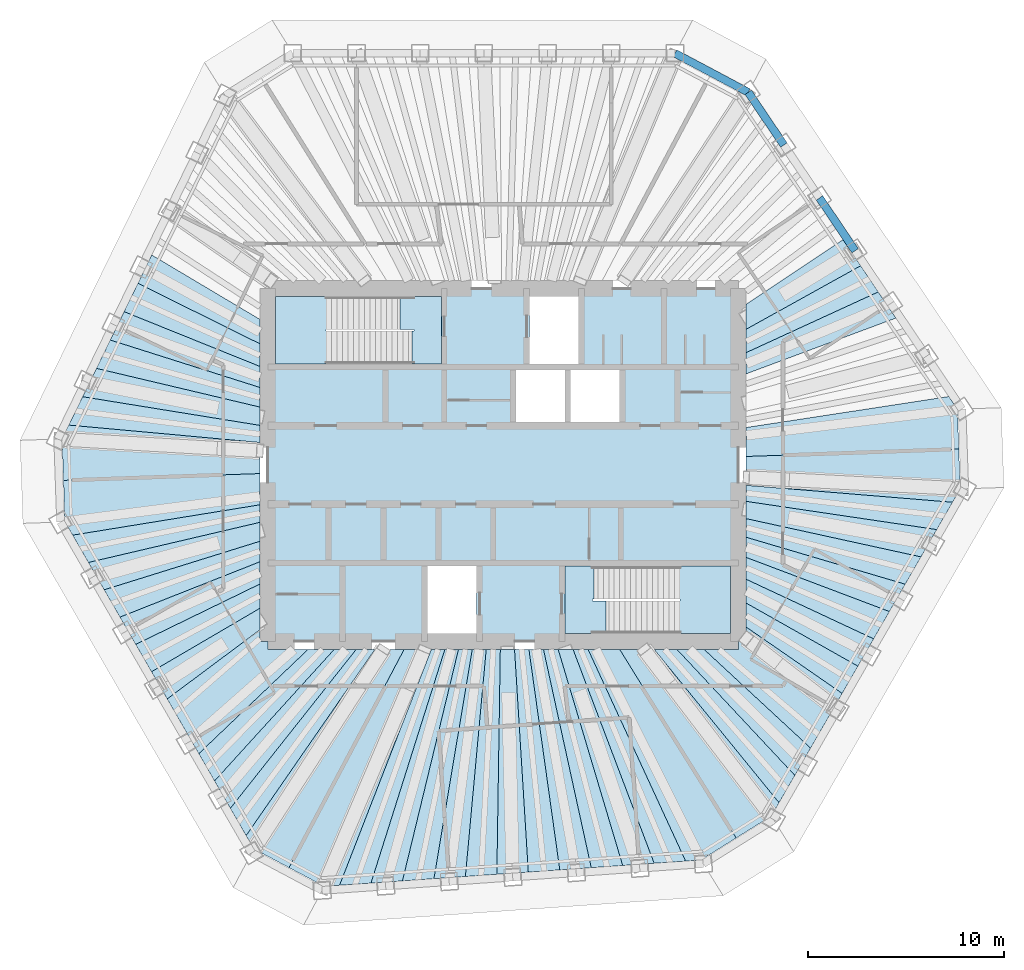
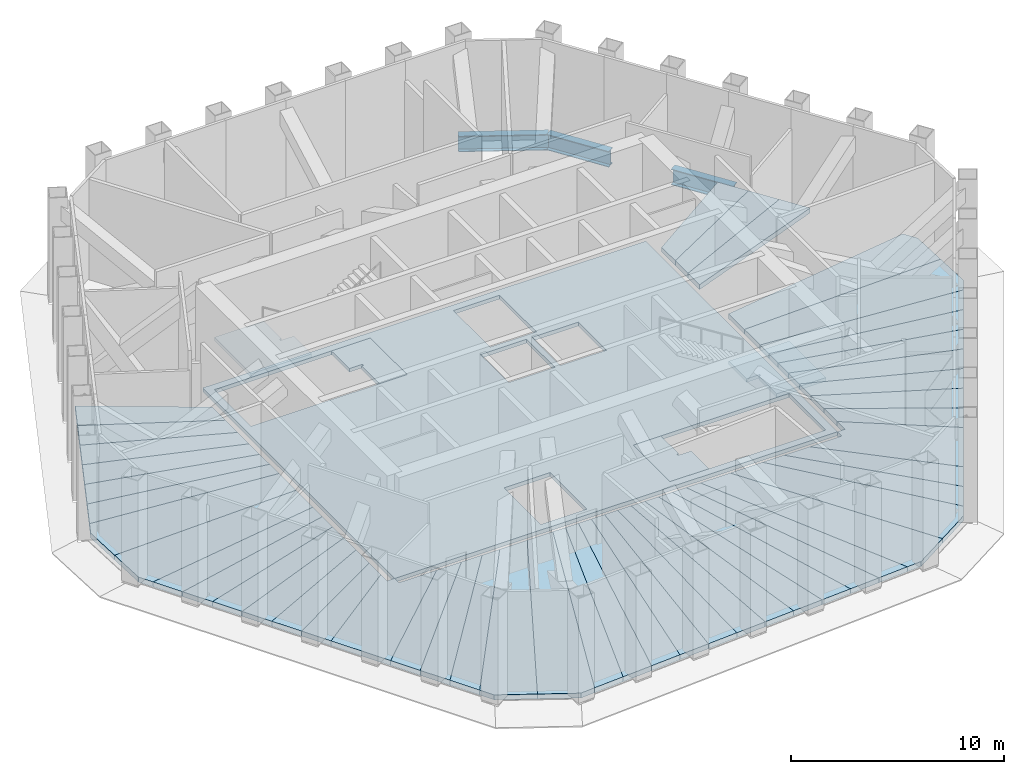
# One storey, part 4 of 10: 53 slabs, 3 beams, 2 elements without a shape of their own.
"""IFC4 building model written with IfcOpenShell, lengths in metres."""

from ifc_helpers import new_model, si_unit, direction, frame, origin, origin_2d, place, context, subcontext, project, spatial, polyline, i_section, outline, extrude, material, layer, layer_set, material_profile, profile_set, type_object, element, aggregate, save


model = new_model("IFC4")

# Units and contexts
model_context = context("Model", 3, precision=1e-05, world=origin(), true_north=direction((0.0, 1.0)))
body_context = subcontext(model_context, "Body", "Model", "MODEL_VIEW")
ifc_project = project(units=[si_unit("LENGTHUNIT", "METRE"), si_unit("AREAUNIT", "SQUARE_METRE"), si_unit("VOLUMEUNIT", "CUBIC_METRE"), si_unit("PLANEANGLEUNIT", "RADIAN"), si_unit("MASSUNIT", "GRAM", prefix="KILO")], contexts=[model_context])

# Site, building, storey
site_placement = place(None, origin())
site = spatial("IfcSite", under=ifc_project, at=site_placement, CompositionType="ELEMENT")
building_placement = place(site_placement, origin())
building = spatial("IfcBuilding", under=site, at=building_placement, Name="Qingtian Harvest Tower", CompositionType="ELEMENT")
storey_placement = place(building_placement, frame((0.0, 0.0, 337.60009765625)))
storey = spatial("IfcBuildingStorey", under=building, at=storey_placement, Name="L75", CompositionType="ELEMENT", Elevation=337.60009765625)

# Beams
ifc_material_1 = material(Name="Steel SN490B", Category="steel")
ifc_material_profile = material_profile(ifc_material_1, i_section(OverallWidth=0.39990234375, OverallDepth=0.89990234375, WebThickness=0.01904296875, FlangeThickness=0.035888671875, at=origin_2d()), Name="H900x400x19x36")
ifc_profile_set = profile_set([ifc_material_profile], Name="Steel SN490B")
beam_type = type_object("IfcBeamType", Name="Spandrel beam SB4 H900x400x19x36", PredefinedType="SPANDREL", material=ifc_profile_set)
beam_placement = place(storey_placement, frame((8.765869140625, 21.0, -0.4501953125), z_axis=(0.882948599748, -0.469469669099, 0.0), x_axis=(0.469469669099, 0.882948599748, 0.0)))
element("IfcBeam", 1, at=beam_placement, inside=storey, type_object=beam_type, Name="Spandrel SB4 NC", PredefinedType="SPANDREL", context=body_context, shape_type="SweptSolid", body=[
    extrude(i_section(OverallWidth=0.39990234375, OverallDepth=0.89990234375, WebThickness=0.01904296875, FlangeThickness=0.035888671875, at=origin_2d()), origin(), (0.0, 0.0, 1.0), 4.23828125),
])
for number, where, z_axis, x_axis, name in (
    (2, (12.508056640625, 19.01025390625, -0.4501953125), (0.559184924833, -0.829042954158, 0.0), (0.829042954158, 0.559184924833, 0.0), "Spandrel SB4 NE0"),
    (3, (16.140625, 13.624755859375, -0.4501953125), (0.559184924833, -0.829042954158, 0.0), (0.829042954158, 0.559184924833, 0.0), "Spandrel SB4 NE2"),
):
    element("IfcBeam", number, at=place(storey_placement, frame(where, z_axis=z_axis, x_axis=x_axis)), inside=storey, type_object=beam_type, Name=name, PredefinedType="SPANDREL", context=body_context, shape_type="SweptSolid", body=[
        extrude(i_section(OverallWidth=0.39990234375, OverallDepth=0.89990234375, WebThickness=0.01904296875, FlangeThickness=0.035888671875, at=origin_2d()), origin(), (0.0, 0.0, 1.0), 3.247802734375),
    ])

# Slabs
ifc_material_2 = material(Name="Concrete fc' 35 MPa", Category="concrete")
ifc_layer_1 = layer(ifc_material_2, 0.280029296875)
ifc_layer_set_1 = layer_set([ifc_layer_1], Name="Composite floor slab FS28 280")
slab_type_1 = type_object("IfcSlabType", Name="Composite floor slab FS28 280", PredefinedType="FLOOR", material=ifc_layer_set_1)
slab_1_placement = place(storey_placement, frame((0.0, 0.0, -0.280029296875)))
element("IfcSlab", 4, at=slab_1_placement, inside=storey, type_object=slab_type_1, Name="Floor slab L75 panel D01", PredefinedType="FLOOR", context=body_context, shape_type="SweptSolid", body=[
    extrude(outline(polyline([(-22.422607421875, -0.783203125), (-12.39990234375, -0.436767578125), (-12.39990234375, -2.028564453125), (-21.95751953125, -3.578369140625), (-22.348876953125, -2.90087890625), (-22.422607421875, -0.783203125)])), origin(), (0.0, 0.0, 1.0), 0.280029296875),
])
slab_2_placement = place(storey_placement, frame((0.0, 0.0, -0.280029296875)))
element("IfcSlab", 5, at=slab_2_placement, inside=storey, type_object=slab_type_1, Name="Floor slab L75 panel D02", PredefinedType="FLOOR", context=body_context, shape_type="SweptSolid", body=[
    extrude(outline(polyline([(-12.39990234375, -2.923095703125), (-21.153076171875, -4.9716796875), (-21.95751953125, -3.578369140625), (-12.39990234375, -2.028564453125), (-12.39990234375, -2.923095703125)])), origin(), (0.0, 0.0, 1.0), 0.280029296875),
])
slab_3_placement = place(storey_placement, frame((0.0, 0.0, -0.280029296875)))
element("IfcSlab", 6, at=slab_3_placement, inside=storey, type_object=slab_type_1, Name="Floor slab L75 panel D03", PredefinedType="FLOOR", context=body_context, shape_type="SweptSolid", body=[
    extrude(outline(polyline([(-12.39990234375, -3.888427734375), (-20.3486328125, -6.365234375), (-21.153076171875, -4.9716796875), (-12.39990234375, -2.923095703125), (-12.39990234375, -3.888427734375)])), origin(), (0.0, 0.0, 1.0), 0.280029296875),
])
slab_4_placement = place(storey_placement, frame((0.0, 0.0, -0.280029296875)))
element("IfcSlab", 7, at=slab_4_placement, inside=storey, type_object=slab_type_1, Name="Floor slab L75 panel D04", PredefinedType="FLOOR", context=body_context, shape_type="SweptSolid", body=[
    extrude(outline(polyline([(-12.39990234375, -4.93359375), (-19.544189453125, -7.758544921875), (-20.3486328125, -6.365234375), (-12.39990234375, -3.888427734375), (-12.39990234375, -4.93359375)])), origin(), (0.0, 0.0, 1.0), 0.280029296875),
])
slab_5_placement = place(storey_placement, frame((0.0, 0.0, -0.280029296875)))
element("IfcSlab", 8, at=slab_5_placement, inside=storey, type_object=slab_type_1, Name="Floor slab L75 panel D05", PredefinedType="FLOOR", context=body_context, shape_type="SweptSolid", body=[
    extrude(outline(polyline([(-12.39990234375, -6.068359375), (-18.73974609375, -9.15185546875), (-19.544189453125, -7.758544921875), (-12.39990234375, -4.93359375), (-12.39990234375, -6.068359375)])), origin(), (0.0, 0.0, 1.0), 0.280029296875),
])
slab_6_placement = place(storey_placement, frame((0.0, 0.0, -0.280029296875)))
element("IfcSlab", 9, at=slab_6_placement, inside=storey, type_object=slab_type_1, Name="Floor slab L75 panel D06", PredefinedType="FLOOR", context=body_context, shape_type="SweptSolid", body=[
    extrude(outline(polyline([(-12.39990234375, -7.304931640625), (-17.93505859375, -10.54541015625), (-18.73974609375, -9.15185546875), (-12.39990234375, -6.068359375), (-12.39990234375, -7.304931640625)])), origin(), (0.0, 0.0, 1.0), 0.280029296875),
])
slab_7_placement = place(storey_placement, frame((0.0, 0.0, -0.280029296875)))
element("IfcSlab", 10, at=slab_7_placement, inside=storey, type_object=slab_type_1, Name="Floor slab L75 panel D07", PredefinedType="FLOOR", context=body_context, shape_type="SweptSolid", body=[
    extrude(outline(polyline([(-12.39990234375, -8.400390625), (-17.134033203125, -11.932861328125), (-17.93505859375, -10.54541015625), (-12.39990234375, -7.304931640625), (-12.39990234375, -8.400390625)])), origin(), (0.0, 0.0, 1.0), 0.280029296875),
])
slab_8_placement = place(storey_placement, frame((0.0, 0.0, -0.280029296875)))
element("IfcSlab", 11, at=slab_8_placement, inside=storey, type_object=slab_type_1, Name="Floor slab L75 panel D09", PredefinedType="FLOOR", context=body_context, shape_type="SweptSolid", body=[
    extrude(outline(polyline([(-15.522216796875, -14.724609375), (-17.134033203125, -11.932861328125), (-12.39990234375, -8.400390625), (-12.39990234375, -9.0), (-12.0, -9.0), (-12.0, -9.39990234375), (-9.943115234375, -9.39990234375), (-15.522216796875, -14.724609375)])), origin(), (0.0, 0.0, 1.0), 0.280029296875),
])
slab_9_placement = place(storey_placement, frame((0.0, 0.0, -0.280029296875)))
element("IfcSlab", 12, at=slab_9_placement, inside=storey, type_object=slab_type_1, Name="Floor slab L75 panel D10", PredefinedType="FLOOR", context=body_context, shape_type="SweptSolid", body=[
    extrude(outline(polyline([(-8.609130859375, -9.39990234375), (-14.7177734375, -16.1181640625), (-15.522216796875, -14.724609375), (-9.943115234375, -9.39990234375), (-8.609130859375, -9.39990234375)])), origin(), (0.0, 0.0, 1.0), 0.280029296875),
])
slab_10_placement = place(storey_placement, frame((0.0, 0.0, -0.280029296875)))
element("IfcSlab", 13, at=slab_10_placement, inside=storey, type_object=slab_type_1, Name="Floor slab L75 panel D11", PredefinedType="FLOOR", context=body_context, shape_type="SweptSolid", body=[
    extrude(outline(polyline([(-7.488525390625, -9.39990234375), (-13.9130859375, -17.51171875), (-14.7177734375, -16.1181640625), (-8.609130859375, -9.39990234375), (-7.488525390625, -9.39990234375)])), origin(), (0.0, 0.0, 1.0), 0.280029296875),
])
slab_11_placement = place(storey_placement, frame((0.0, 0.0, -0.280029296875)))
element("IfcSlab", 14, at=slab_11_placement, inside=storey, type_object=slab_type_1, Name="Floor slab L75 panel D12", PredefinedType="FLOOR", context=body_context, shape_type="SweptSolid", body=[
    extrude(outline(polyline([(-6.533935546875, -9.39990234375), (-13.108642578125, -18.905029296875), (-13.9130859375, -17.51171875), (-7.488525390625, -9.39990234375), (-6.533935546875, -9.39990234375)])), origin(), (0.0, 0.0, 1.0), 0.280029296875),
])
slab_12_placement = place(storey_placement, frame((0.0, 0.0, -0.280029296875)))
element("IfcSlab", 15, at=slab_12_placement, inside=storey, type_object=slab_type_1, Name="Floor slab L75 panel D13", PredefinedType="FLOOR", context=body_context, shape_type="SweptSolid", body=[
    extrude(outline(polyline([(-6.533935546875, -9.39990234375), (-5.04638671875, -9.39990234375), (-10.921142578125, -20.537841796875), (-12.717529296875, -19.582763671875), (-13.108642578125, -18.905029296875), (-6.533935546875, -9.39990234375)])), origin(), (0.0, 0.0, 1.0), 0.280029296875),
])
slab_13_placement = place(storey_placement, frame((0.0, 0.0, -0.280029296875)))
element("IfcSlab", 16, at=slab_13_placement, inside=storey, type_object=slab_type_1, Name="Floor slab L75 panel D14", PredefinedType="FLOOR", context=body_context, shape_type="SweptSolid", body=[
    extrude(outline(polyline([(-5.04638671875, -9.39990234375), (-3.656982421875, -9.39990234375), (-8.343017578125, -21.439208984375), (-9.123291015625, -21.49365234375), (-10.921142578125, -20.537841796875), (-5.04638671875, -9.39990234375)])), origin(), (0.0, 0.0, 1.0), 0.280029296875),
])
slab_14_placement = place(storey_placement, frame((0.0, 0.0, -0.280029296875)))
element("IfcSlab", 17, at=slab_14_placement, inside=storey, type_object=slab_type_1, Name="Floor slab L75 panel D15", PredefinedType="FLOOR", context=body_context, shape_type="SweptSolid", body=[
    extrude(outline(polyline([(-2.968994140625, -9.39990234375), (-6.738037109375, -21.326904296875), (-8.343017578125, -21.439208984375), (-3.656982421875, -9.39990234375), (-2.968994140625, -9.39990234375)])), origin(), (0.0, 0.0, 1.0), 0.280029296875),
])
slab_15_placement = place(storey_placement, frame((0.0, 0.0, -0.280029296875)))
element("IfcSlab", 18, at=slab_15_placement, inside=storey, type_object=slab_type_1, Name="Floor slab L75 panel D16", PredefinedType="FLOOR", context=body_context, shape_type="SweptSolid", body=[
    extrude(outline(polyline([(-2.2734375, -9.39990234375), (-5.133056640625, -21.21484375), (-6.738037109375, -21.326904296875), (-2.968994140625, -9.39990234375), (-2.2734375, -9.39990234375)])), origin(), (0.0, 0.0, 1.0), 0.280029296875),
])
slab_16_placement = place(storey_placement, frame((0.0, 0.0, -0.280029296875)))
element("IfcSlab", 19, at=slab_16_placement, inside=storey, type_object=slab_type_1, Name="Floor slab L75 panel D17", PredefinedType="FLOOR", context=body_context, shape_type="SweptSolid", body=[
    extrude(outline(polyline([(-1.570556640625, -9.39990234375), (-3.528076171875, -21.1025390625), (-5.133056640625, -21.21484375), (-2.2734375, -9.39990234375), (-1.570556640625, -9.39990234375)])), origin(), (0.0, 0.0, 1.0), 0.280029296875),
])
slab_17_placement = place(storey_placement, frame((0.0, 0.0, -0.280029296875)))
element("IfcSlab", 20, at=slab_17_placement, inside=storey, type_object=slab_type_1, Name="Floor slab L75 panel D18", PredefinedType="FLOOR", context=body_context, shape_type="SweptSolid", body=[
    extrude(outline(polyline([(-0.860107421875, -9.39990234375), (-1.9228515625, -20.990234375), (-3.528076171875, -21.1025390625), (-1.570556640625, -9.39990234375), (-0.860107421875, -9.39990234375)])), origin(), (0.0, 0.0, 1.0), 0.280029296875),
])
slab_18_placement = place(storey_placement, frame((0.0, 0.0, -0.280029296875)))
element("IfcSlab", 21, at=slab_18_placement, inside=storey, type_object=slab_type_1, Name="Floor slab L75 panel D19", PredefinedType="FLOOR", context=body_context, shape_type="SweptSolid", body=[
    extrude(outline(polyline([(-0.14208984375, -9.39990234375), (-0.31787109375, -20.8779296875), (-1.9228515625, -20.990234375), (-0.860107421875, -9.39990234375), (-0.14208984375, -9.39990234375)])), origin(), (0.0, 0.0, 1.0), 0.280029296875),
])
slab_19_placement = place(storey_placement, frame((0.0, 0.0, -0.280029296875)))
element("IfcSlab", 22, at=slab_19_placement, inside=storey, type_object=slab_type_1, Name="Floor slab L75 panel D20", PredefinedType="FLOOR", context=body_context, shape_type="SweptSolid", body=[
    extrude(outline(polyline([(0.58349609375, -9.39990234375), (1.287109375, -20.765869140625), (-0.31787109375, -20.8779296875), (-0.14208984375, -9.39990234375), (0.58349609375, -9.39990234375)])), origin(), (0.0, 0.0, 1.0), 0.280029296875),
])
slab_20_placement = place(storey_placement, frame((0.0, 0.0, -0.280029296875)))
element("IfcSlab", 23, at=slab_20_placement, inside=storey, type_object=slab_type_1, Name="Floor slab L75 panel D21", PredefinedType="FLOOR", context=body_context, shape_type="SweptSolid", body=[
    extrude(outline(polyline([(1.3173828125, -9.39990234375), (2.89208984375, -20.653564453125), (1.287109375, -20.765869140625), (0.58349609375, -9.39990234375), (1.3173828125, -9.39990234375)])), origin(), (0.0, 0.0, 1.0), 0.280029296875),
])
slab_21_placement = place(storey_placement, frame((0.0, 0.0, -0.280029296875)))
element("IfcSlab", 24, at=slab_21_placement, inside=storey, type_object=slab_type_1, Name="Floor slab L75 panel D22", PredefinedType="FLOOR", context=body_context, shape_type="SweptSolid", body=[
    extrude(outline(polyline([(2.058837890625, -9.39990234375), (4.4970703125, -20.541259765625), (2.89208984375, -20.653564453125), (1.3173828125, -9.39990234375), (2.058837890625, -9.39990234375)])), origin(), (0.0, 0.0, 1.0), 0.280029296875),
])
slab_22_placement = place(storey_placement, frame((0.0, 0.0, -0.280029296875)))
element("IfcSlab", 25, at=slab_22_placement, inside=storey, type_object=slab_type_1, Name="Floor slab L75 panel D23", PredefinedType="FLOOR", context=body_context, shape_type="SweptSolid", body=[
    extrude(outline(polyline([(2.808837890625, -9.39990234375), (6.10205078125, -20.42919921875), (4.4970703125, -20.541259765625), (2.058837890625, -9.39990234375), (2.808837890625, -9.39990234375)])), origin(), (0.0, 0.0, 1.0), 0.280029296875),
])
slab_23_placement = place(storey_placement, frame((0.0, 0.0, -0.280029296875)))
element("IfcSlab", 26, at=slab_23_placement, inside=storey, type_object=slab_type_1, Name="Floor slab L75 panel D24", PredefinedType="FLOOR", context=body_context, shape_type="SweptSolid", body=[
    extrude(outline(polyline([(3.56689453125, -9.39990234375), (7.70703125, -20.31689453125), (6.10205078125, -20.42919921875), (2.808837890625, -9.39990234375), (3.56689453125, -9.39990234375)])), origin(), (0.0, 0.0, 1.0), 0.280029296875),
])
slab_24_placement = place(storey_placement, frame((0.0, 0.0, -0.280029296875)))
element("IfcSlab", 27, at=slab_24_placement, inside=storey, type_object=slab_type_1, Name="Floor slab L75 panel D25", PredefinedType="FLOOR", context=body_context, shape_type="SweptSolid", body=[
    extrude(outline(polyline([(4.33349609375, -9.39990234375), (9.312255859375, -20.20458984375), (7.70703125, -20.31689453125), (3.56689453125, -9.39990234375), (4.33349609375, -9.39990234375)])), origin(), (0.0, 0.0, 1.0), 0.280029296875),
])
slab_25_placement = place(storey_placement, frame((0.0, 0.0, -0.280029296875)))
element("IfcSlab", 28, at=slab_25_placement, inside=storey, type_object=slab_type_1, Name="Floor slab L75 panel D26", PredefinedType="FLOOR", context=body_context, shape_type="SweptSolid", body=[
    extrude(outline(polyline([(4.33349609375, -9.39990234375), (5.945556640625, -9.39990234375), (11.890380859375, -19.026611328125), (10.09228515625, -20.150146484375), (9.312255859375, -20.20458984375), (4.33349609375, -9.39990234375)])), origin(), (0.0, 0.0, 1.0), 0.280029296875),
])
slab_26_placement = place(storey_placement, frame((0.0, 0.0, -0.280029296875)))
element("IfcSlab", 29, at=slab_26_placement, inside=storey, type_object=slab_type_1, Name="Floor slab L75 panel D27", PredefinedType="FLOOR", context=body_context, shape_type="SweptSolid", body=[
    extrude(outline(polyline([(5.945556640625, -9.39990234375), (7.703125, -9.39990234375), (14.077880859375, -17.2265625), (13.6865234375, -17.904296875), (11.890380859375, -19.026611328125), (5.945556640625, -9.39990234375)])), origin(), (0.0, 0.0, 1.0), 0.280029296875),
])
slab_27_placement = place(storey_placement, frame((0.0, 0.0, -0.280029296875)))
element("IfcSlab", 30, at=slab_27_placement, inside=storey, type_object=slab_type_1, Name="Floor slab L75 panel D28", PredefinedType="FLOOR", context=body_context, shape_type="SweptSolid", body=[
    extrude(outline(polyline([(8.86279296875, -9.39990234375), (14.88232421875, -15.8330078125), (14.077880859375, -17.2265625), (7.703125, -9.39990234375), (8.86279296875, -9.39990234375)])), origin(), (0.0, 0.0, 1.0), 0.280029296875),
])
slab_28_placement = place(storey_placement, frame((0.0, 0.0, -0.280029296875)))
element("IfcSlab", 31, at=slab_28_placement, inside=storey, type_object=slab_type_1, Name="Floor slab L75 panel D29", PredefinedType="FLOOR", context=body_context, shape_type="SweptSolid", body=[
    extrude(outline(polyline([(10.248046875, -9.39990234375), (15.68701171875, -14.439453125), (14.88232421875, -15.8330078125), (8.86279296875, -9.39990234375), (10.248046875, -9.39990234375)])), origin(), (0.0, 0.0, 1.0), 0.280029296875),
])
slab_29_placement = place(storey_placement, frame((0.0, 0.0, -0.280029296875)))
element("IfcSlab", 32, at=slab_29_placement, inside=storey, type_object=slab_type_1, Name="Floor slab L75 panel D31", PredefinedType="FLOOR", context=body_context, shape_type="SweptSolid", body=[
    extrude(outline(polyline([(12.39990234375, -8.263427734375), (17.296630859375, -11.651123046875), (15.68701171875, -14.439453125), (10.248046875, -9.39990234375), (12.0, -9.39990234375), (12.0, -9.0), (12.39990234375, -9.0), (12.39990234375, -8.263427734375)])), origin(), (0.0, 0.0, 1.0), 0.280029296875),
])
slab_30_placement = place(storey_placement, frame((0.0, 0.0, -0.280029296875)))
element("IfcSlab", 33, at=slab_30_placement, inside=storey, type_object=slab_type_1, Name="Floor slab L75 panel D32", PredefinedType="FLOOR", context=body_context, shape_type="SweptSolid", body=[
    extrude(outline(polyline([(12.39990234375, -7.04296875), (18.099853515625, -10.26025390625), (17.296630859375, -11.651123046875), (12.39990234375, -8.263427734375), (12.39990234375, -7.04296875)])), origin(), (0.0, 0.0, 1.0), 0.280029296875),
])
slab_31_placement = place(storey_placement, frame((0.0, 0.0, -0.280029296875)))
element("IfcSlab", 34, at=slab_31_placement, inside=storey, type_object=slab_type_1, Name="Floor slab L75 panel D33", PredefinedType="FLOOR", context=body_context, shape_type="SweptSolid", body=[
    extrude(outline(polyline([(12.39990234375, -5.828125), (18.904296875, -8.86669921875), (18.099853515625, -10.26025390625), (12.39990234375, -7.04296875), (12.39990234375, -5.828125)])), origin(), (0.0, 0.0, 1.0), 0.280029296875),
])
slab_32_placement = place(storey_placement, frame((0.0, 0.0, -0.280029296875)))
element("IfcSlab", 35, at=slab_32_placement, inside=storey, type_object=slab_type_1, Name="Floor slab L75 panel D34", PredefinedType="FLOOR", context=body_context, shape_type="SweptSolid", body=[
    extrude(outline(polyline([(12.39990234375, -4.712646484375), (19.708740234375, -7.473388671875), (18.904296875, -8.86669921875), (12.39990234375, -5.828125), (12.39990234375, -4.712646484375)])), origin(), (0.0, 0.0, 1.0), 0.280029296875),
])
slab_33_placement = place(storey_placement, frame((0.0, 0.0, -0.280029296875)))
element("IfcSlab", 36, at=slab_33_placement, inside=storey, type_object=slab_type_1, Name="Floor slab L75 panel D35", PredefinedType="FLOOR", context=body_context, shape_type="SweptSolid", body=[
    extrude(outline(polyline([(12.39990234375, -3.684814453125), (20.51318359375, -6.080078125), (19.708740234375, -7.473388671875), (12.39990234375, -4.712646484375), (12.39990234375, -3.684814453125)])), origin(), (0.0, 0.0, 1.0), 0.280029296875),
])
slab_34_placement = place(storey_placement, frame((0.0, 0.0, -0.280029296875)))
element("IfcSlab", 37, at=slab_34_placement, inside=storey, type_object=slab_type_1, Name="Floor slab L75 panel D36", PredefinedType="FLOOR", context=body_context, shape_type="SweptSolid", body=[
    extrude(outline(polyline([(12.39990234375, -2.734619140625), (21.317626953125, -4.6865234375), (20.51318359375, -6.080078125), (12.39990234375, -3.684814453125), (12.39990234375, -2.734619140625)])), origin(), (0.0, 0.0, 1.0), 0.280029296875),
])
slab_35_placement = place(storey_placement, frame((0.0, 0.0, -0.280029296875)))
element("IfcSlab", 38, at=slab_35_placement, inside=storey, type_object=slab_type_1, Name="Floor slab L75 panel D37", PredefinedType="FLOOR", context=body_context, shape_type="SweptSolid", body=[
    extrude(outline(polyline([(12.39990234375, -1.853515625), (22.122314453125, -3.293212890625), (21.317626953125, -4.6865234375), (12.39990234375, -2.734619140625), (12.39990234375, -1.853515625)])), origin(), (0.0, 0.0, 1.0), 0.280029296875),
])
slab_36_placement = place(storey_placement, frame((0.0, 0.0, -0.280029296875)))
element("IfcSlab", 39, at=slab_36_placement, inside=storey, type_object=slab_type_1, Name="Floor slab L75 panel D38", PredefinedType="FLOOR", context=body_context, shape_type="SweptSolid", body=[
    extrude(outline(polyline([(12.39990234375, -1.034423828125), (22.9267578125, -1.89990234375), (22.122314453125, -3.293212890625), (12.39990234375, -1.853515625), (12.39990234375, -1.034423828125)])), origin(), (0.0, 0.0, 1.0), 0.280029296875),
])
slab_37_placement = place(storey_placement, frame((0.0, 0.0, -0.280029296875)))
element("IfcSlab", 40, at=slab_37_placement, inside=storey, type_object=slab_type_1, Name="Floor slab L75 panel D39", PredefinedType="FLOOR", context=body_context, shape_type="SweptSolid", body=[
    extrude(outline(polyline([(12.39990234375, -1.034423828125), (12.39990234375, 0.436279296875), (23.246826171875, 0.811767578125), (23.31787109375, -1.22216796875), (22.9267578125, -1.89990234375), (12.39990234375, -1.034423828125)])), origin(), (0.0, 0.0, 1.0), 0.280029296875),
])
slab_38_placement = place(storey_placement, frame((0.0, 0.0, -0.280029296875)))
element("IfcSlab", 41, at=slab_38_placement, inside=storey, type_object=slab_type_1, Name="Floor slab L75 panel D40", PredefinedType="FLOOR", context=body_context, shape_type="SweptSolid", body=[
    extrude(outline(polyline([(12.39990234375, 0.436279296875), (12.39990234375, 1.91357421875), (22.73828125, 3.494384765625), (23.17578125, 2.845947265625), (23.246826171875, 0.811767578125), (12.39990234375, 0.436279296875)])), origin(), (0.0, 0.0, 1.0), 0.280029296875),
])
slab_39_placement = place(storey_placement, frame((0.0, 0.0, -0.280029296875)))
element("IfcSlab", 42, at=slab_39_placement, inside=storey, type_object=slab_type_1, Name="Floor slab L75 panel D44", PredefinedType="FLOOR", context=body_context, shape_type="SweptSolid", body=[
    extrude(outline(polyline([(12.39990234375, 5.73388671875), (19.139404296875, 8.830078125), (20.0390625, 7.49609375), (12.39990234375, 4.64990234375), (12.39990234375, 5.73388671875)])), origin(), (0.0, 0.0, 1.0), 0.280029296875),
])
slab_40_placement = place(storey_placement, frame((0.0, 0.0, -0.280029296875)))
element("IfcSlab", 43, at=slab_40_placement, inside=storey, type_object=slab_type_1, Name="Floor slab L75 panel D45", PredefinedType="FLOOR", context=body_context, shape_type="SweptSolid", body=[
    extrude(outline(polyline([(12.39990234375, 6.925048828125), (18.23974609375, 10.1640625), (19.139404296875, 8.830078125), (12.39990234375, 5.73388671875), (12.39990234375, 6.925048828125)])), origin(), (0.0, 0.0, 1.0), 0.280029296875),
])
slab_41_placement = place(storey_placement, frame((0.0, 0.0, -0.280029296875)))
element("IfcSlab", 44, at=slab_41_placement, inside=storey, type_object=slab_type_1, Name="Floor slab L75 panel D46", PredefinedType="FLOOR", context=body_context, shape_type="SweptSolid", body=[
    extrude(outline(polyline([(12.39990234375, 8.199462890625), (17.340576171875, 11.4970703125), (18.23974609375, 10.1640625), (12.39990234375, 6.925048828125), (12.39990234375, 8.199462890625)])), origin(), (0.0, 0.0, 1.0), 0.280029296875),
])
slab_42_placement = place(storey_placement, frame((0.0, 0.0, -0.280029296875)))
element("IfcSlab", 45, at=slab_42_placement, inside=storey, type_object=slab_type_1, Name="Floor slab L75 panel D72", PredefinedType="FLOOR", context=body_context, shape_type="SweptSolid", body=[
    extrude(outline(polyline([(-12.39990234375, 6.18115234375), (-18.627197265625, 9.2685546875), (-17.921875, 10.714599609375), (-12.39990234375, 7.42578125), (-12.39990234375, 6.18115234375)])), origin(), (0.0, 0.0, 1.0), 0.280029296875),
])
slab_43_placement = place(storey_placement, frame((0.0, 0.0, -0.280029296875)))
element("IfcSlab", 46, at=slab_43_placement, inside=storey, type_object=slab_type_1, Name="Floor slab L75 panel D73", PredefinedType="FLOOR", context=body_context, shape_type="SweptSolid", body=[
    extrude(outline(polyline([(-12.39990234375, 5.02734375), (-19.33251953125, 7.822509765625), (-18.627197265625, 9.2685546875), (-12.39990234375, 6.18115234375), (-12.39990234375, 5.02734375)])), origin(), (0.0, 0.0, 1.0), 0.280029296875),
])
slab_44_placement = place(storey_placement, frame((0.0, 0.0, -0.280029296875)))
element("IfcSlab", 47, at=slab_44_placement, inside=storey, type_object=slab_type_1, Name="Floor slab L75 panel D74", PredefinedType="FLOOR", context=body_context, shape_type="SweptSolid", body=[
    extrude(outline(polyline([(-12.39990234375, 3.954833984375), (-20.037841796875, 6.376220703125), (-19.33251953125, 7.822509765625), (-12.39990234375, 5.02734375), (-12.39990234375, 3.954833984375)])), origin(), (0.0, 0.0, 1.0), 0.280029296875),
])
slab_45_placement = place(storey_placement, frame((0.0, 0.0, -0.280029296875)))
element("IfcSlab", 48, at=slab_45_placement, inside=storey, type_object=slab_type_1, Name="Floor slab L75 panel D75", PredefinedType="FLOOR", context=body_context, shape_type="SweptSolid", body=[
    extrude(outline(polyline([(-12.39990234375, 2.955322265625), (-20.7431640625, 4.93017578125), (-20.037841796875, 6.376220703125), (-12.39990234375, 3.954833984375), (-12.39990234375, 2.955322265625)])), origin(), (0.0, 0.0, 1.0), 0.280029296875),
])
slab_46_placement = place(storey_placement, frame((0.0, 0.0, -0.280029296875)))
element("IfcSlab", 49, at=slab_46_placement, inside=storey, type_object=slab_type_1, Name="Floor slab L75 panel D76", PredefinedType="FLOOR", context=body_context, shape_type="SweptSolid", body=[
    extrude(outline(polyline([(-12.39990234375, 2.021484375), (-21.448486328125, 3.484130859375), (-20.7431640625, 4.93017578125), (-12.39990234375, 2.955322265625), (-12.39990234375, 2.021484375)])), origin(), (0.0, 0.0, 1.0), 0.280029296875),
])
slab_47_placement = place(storey_placement, frame((0.0, 0.0, -0.280029296875)))
element("IfcSlab", 50, at=slab_47_placement, inside=storey, type_object=slab_type_1, Name="Floor slab L75 panel D77", PredefinedType="FLOOR", context=body_context, shape_type="SweptSolid", body=[
    extrude(outline(polyline([(-12.39990234375, 1.147216796875), (-22.15380859375, 2.037841796875), (-21.448486328125, 3.484130859375), (-12.39990234375, 2.021484375), (-12.39990234375, 1.147216796875)])), origin(), (0.0, 0.0, 1.0), 0.280029296875),
])
slab_48_placement = place(storey_placement, frame((0.0, 0.0, -0.280029296875)))
element("IfcSlab", 51, at=slab_48_placement, inside=storey, type_object=slab_type_1, Name="Floor slab L75 panel D78", PredefinedType="FLOOR", context=body_context, shape_type="SweptSolid", body=[
    extrude(outline(polyline([(-12.39990234375, 1.147216796875), (-12.39990234375, -0.436767578125), (-22.422607421875, -0.783203125), (-22.49658203125, 1.334716796875), (-22.15380859375, 2.037841796875), (-12.39990234375, 1.147216796875)])), origin(), (0.0, 0.0, 1.0), 0.280029296875),
])
ifc_material_3 = material(Name="Concrete fc' 35 MPa", Category="concrete")
ifc_layer_2 = layer(ifc_material_3, 0.219970703125)
ifc_layer_set_2 = layer_set([ifc_layer_2], Name="Core floor slab CS22 220")
slab_type_2 = type_object("IfcSlabType", Name="Core floor slab CS22 220", PredefinedType="FLOOR", material=ifc_layer_set_2)
slab_49_placement = place(storey_placement, frame((0.0, 0.0, -0.22021484375)))
element("IfcSlab", 52, at=slab_49_placement, inside=storey, type_object=slab_type_2, Name="Core floor slab L75", PredefinedType="FLOOR", context=body_context, shape_type="SweptSolid", body=[
    extrude(outline(polyline([(-12.0, -9.0), (12.0, -9.0), (12.0, 9.0), (-12.0, 9.0), (-12.0, -9.0)]), holes=[polyline([(-11.60009765625, 5.14990234375), (-3.14990234375, 5.14990234375), (-3.14990234375, 8.60009765625), (-11.60009765625, 8.60009765625), (-11.60009765625, 5.14990234375)]), polyline([(3.14990234375, -8.60009765625), (11.60009765625, -8.60009765625), (11.60009765625, -5.14990234375), (3.14990234375, -5.14990234375), (3.14990234375, -8.60009765625)]), polyline([(1.35009765625, 5.14990234375), (3.85009765625, 5.14990234375), (3.85009765625, 8.60009765625), (1.35009765625, 8.60009765625), (1.35009765625, 5.14990234375)]), polyline([(-3.85009765625, -8.60009765625), (-1.35009765625, -8.60009765625), (-1.35009765625, -5.14990234375), (-3.85009765625, -5.14990234375), (-3.85009765625, -8.60009765625)]), polyline([(0.64990234375, 2.199951171875), (3.14990234375, 2.199951171875), (3.14990234375, 4.85009765625), (0.64990234375, 4.85009765625), (0.64990234375, 2.199951171875)]), polyline([(3.449951171875, 2.199951171875), (5.949951171875, 2.199951171875), (5.949951171875, 4.85009765625), (3.449951171875, 4.85009765625), (3.449951171875, 2.199951171875)])]), origin(), (0.0, 0.0, 1.0), 0.22021484375),
])

# Stair, slabs
ifc_material_4 = material(Name="Concrete fc' 35 MPa", Category="concrete")
stair_type = type_object("IfcStairType", Name="Special stair ST8 6000", PredefinedType="HALF_TURN_STAIR", material=ifc_material_4)
stair_1_placement = place(storey_placement, origin())
stair_1 = element("IfcStair", 53, at=stair_1_placement, inside=storey, type_object=stair_type, Name="Special stair S1 L75", PredefinedType="HALF_TURN_STAIR")
ifc_material_5 = material(Name="Concrete fc' 35 MPa", Category="concrete")
ifc_layer_3 = layer(ifc_material_5, 0.199951171875)
ifc_layer_set_3 = layer_set([ifc_layer_3], Name="Stair landing SL2 200")
slab_type_3 = type_object("IfcSlabType", Name="Stair landing SL2 200", PredefinedType="LANDING", material=ifc_layer_set_3)
slab_50_placement = place(storey_placement, frame((0.0, 0.0, -0.2001953125)))
slab_50 = element("IfcSlab", 54, at=slab_50_placement, type_object=slab_type_3, Name="S1 landing 1", PredefinedType="LANDING", context=body_context, shape_type="SweptSolid", body=[
    extrude(outline(polyline([(-4.64990234375, 5.14990234375), (-4.64990234375, 6.824951171875), (-4.550048828125, 6.824951171875), (-4.550048828125, 6.925048828125), (-5.260009765625, 6.925048828125), (-5.260009765625, 8.60009765625), (-3.14990234375, 8.60009765625), (-3.14990234375, 5.14990234375), (-4.64990234375, 5.14990234375)])), origin(), (0.0, 0.0, 1.0), 0.2001953125),
])
slab_51_placement = place(storey_placement, frame((0.0, 0.0, 2.7998046875)))
slab_51 = element("IfcSlab", 55, at=slab_51_placement, type_object=slab_type_3, Name="S1 landing 2", PredefinedType="LANDING", context=body_context, shape_type="SweptSolid", body=[
    extrude(outline(polyline([(-8.320068359375, 5.14990234375), (-11.60009765625, 5.14990234375), (-11.60009765625, 8.60009765625), (-8.929931640625, 8.60009765625), (-8.929931640625, 6.925048828125), (-9.030029296875, 6.925048828125), (-9.030029296875, 6.824951171875), (-8.320068359375, 6.824951171875), (-8.320068359375, 5.14990234375)])), origin(), (0.0, 0.0, 1.0), 0.2001953125),
])
aggregate(stair_1, [slab_50, slab_51])

stair_2_placement = place(storey_placement, origin())
stair_2 = element("IfcStair", 56, at=stair_2_placement, inside=storey, type_object=stair_type, Name="Special stair S2 L75", PredefinedType="HALF_TURN_STAIR")
slab_52_placement = place(storey_placement, frame((0.0, 0.0, -0.2001953125)))
slab_52 = element("IfcSlab", 57, at=slab_52_placement, type_object=slab_type_3, Name="S2 landing 1", PredefinedType="LANDING", context=body_context, shape_type="SweptSolid", body=[
    extrude(outline(polyline([(5.260009765625, -8.60009765625), (3.14990234375, -8.60009765625), (3.14990234375, -5.14990234375), (4.64990234375, -5.14990234375), (4.64990234375, -6.824951171875), (4.550048828125, -6.824951171875), (4.550048828125, -6.925048828125), (5.260009765625, -6.925048828125), (5.260009765625, -8.60009765625)])), origin(), (0.0, 0.0, 1.0), 0.2001953125),
])
slab_53_placement = place(storey_placement, frame((0.0, 0.0, 2.7998046875)))
slab_53 = element("IfcSlab", 58, at=slab_53_placement, type_object=slab_type_3, Name="S2 landing 2", PredefinedType="LANDING", context=body_context, shape_type="SweptSolid", body=[
    extrude(outline(polyline([(8.929931640625, -8.60009765625), (8.929931640625, -6.925048828125), (9.030029296875, -6.925048828125), (9.030029296875, -6.824951171875), (8.320068359375, -6.824951171875), (8.320068359375, -5.14990234375), (11.60009765625, -5.14990234375), (11.60009765625, -8.60009765625), (8.929931640625, -8.60009765625)])), origin(), (0.0, 0.0, 1.0), 0.2001953125),
])
aggregate(stair_2, [slab_52, slab_53])

save(model, "model.ifc")
